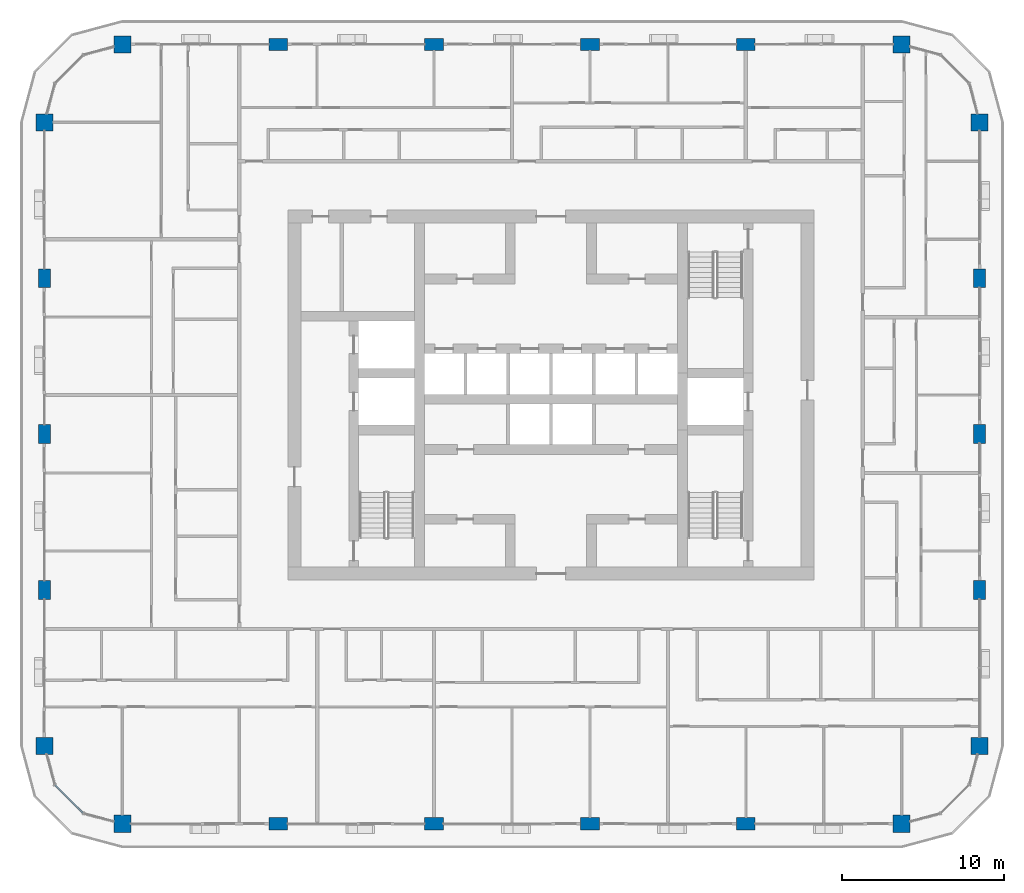
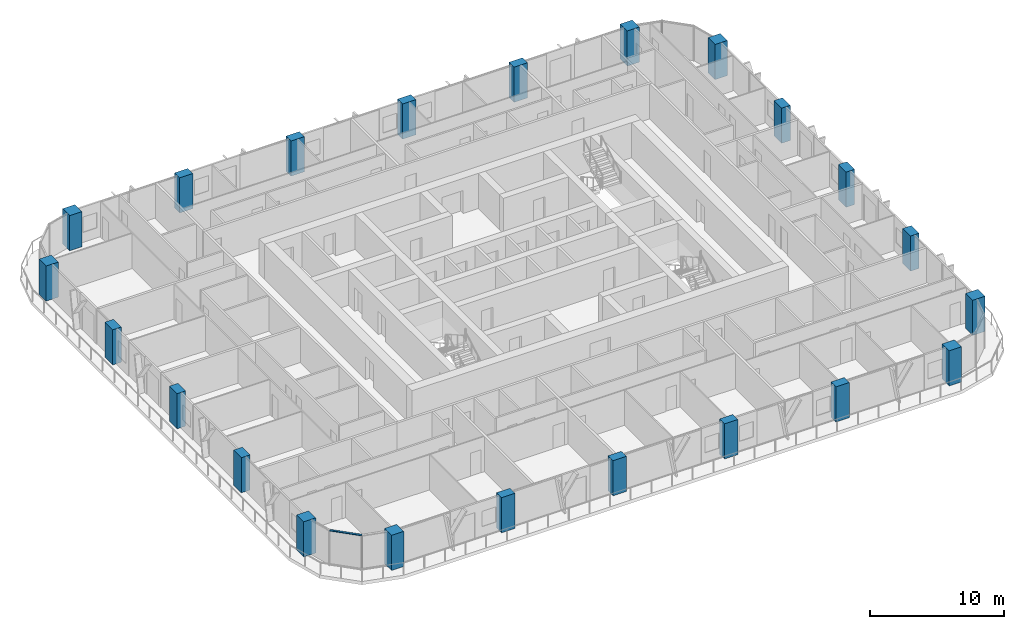
# One storey, part 1 of 22: 22 columns, 1 member, 1 element without a shape of its own.
"""IFC4 building model written with IfcOpenShell, lengths in metres."""

from ifc_helpers import new_model, si_unit, direction, frame, origin, origin_2d, place, context, subcontext, project, spatial, rectangle, extrude, material, layer, layer_set, material_profile, profile_set, type_object, element, aggregate, save


model = new_model("IFC4")

# Units and contexts
model_context = context("Model", 3, precision=1e-05, world=origin(), true_north=direction((0.0, 1.0)))
body_context = subcontext(model_context, "Body", "Model", "MODEL_VIEW")
ifc_project = project(units=[si_unit("LENGTHUNIT", "METRE"), si_unit("AREAUNIT", "SQUARE_METRE"), si_unit("VOLUMEUNIT", "CUBIC_METRE"), si_unit("PLANEANGLEUNIT", "RADIAN"), si_unit("MASSUNIT", "GRAM", prefix="KILO")], contexts=[model_context])

# Site, building, storey
site_placement = place(None, origin())
site = spatial("IfcSite", under=ifc_project, at=site_placement, CompositionType="ELEMENT")
building_placement = place(site_placement, origin())
building = spatial("IfcBuilding", under=site, at=building_placement, Name="Madar Terraces", CompositionType="ELEMENT")
storey_placement = place(building_placement, frame((0.0, 0.0, 163.0)))
storey = spatial("IfcBuildingStorey", under=building, at=storey_placement, Name="L42", CompositionType="ELEMENT", Elevation=163.0)

# Columns
ifc_material_1 = material(Name="Concrete C70/85", Category="concrete")
ifc_material_profile_1 = material_profile(ifc_material_1, rectangle(XDim=1.14990234375, YDim=0.75, at=origin_2d()), Name="CC3 RC 1150x750")
ifc_profile_set_1 = profile_set([ifc_material_profile_1], Name="Concrete C70/85")
column_type_1 = type_object("IfcColumnType", Name="CC3 RC 1150x750", PredefinedType="COLUMN", material=ifc_profile_set_1)
for number, where, z_axis, x_axis, name in (
    (1, (14.39990234375, 0.0, 0.0), (0.0, 0.0, 1.0), (1.0, 0.0, 0.0), "Perimeter column S2"),
    (2, (24.0, 0.0, 0.0), (0.0, 0.0, 1.0), (1.0, 0.0, 0.0), "Perimeter column S3"),
    (3, (33.60009765625, 0.0, 0.0), (0.0, 0.0, 1.0), (1.0, 0.0, 0.0), "Perimeter column S4"),
    (4, (43.199951171875, 0.0, 0.0), (0.0, 0.0, 1.0), (1.0, 0.0, 0.0), "Perimeter column S5"),
    (5, (57.60009765625, 14.39990234375, 0.0), (0.0, 0.0, 1.0), (0.0, 1.0, 0.0), "Perimeter column E2"),
    (6, (57.60009765625, 24.0, 0.0), (0.0, 0.0, 1.0), (0.0, 1.0, 0.0), "Perimeter column E3"),
    (7, (57.60009765625, 33.60009765625, 0.0), (0.0, 0.0, 1.0), (0.0, 1.0, 0.0), "Perimeter column E4"),
    (8, (43.199951171875, 48.0, 0.0), (0.0, 0.0, 1.0), (1.0, 0.0, 0.0), "Perimeter column N2"),
    (9, (33.60009765625, 48.0, 0.0), (0.0, 0.0, 1.0), (1.0, 0.0, 0.0), "Perimeter column N3"),
    (10, (24.0, 48.0, 0.0), (0.0, 0.0, 1.0), (1.0, 0.0, 0.0), "Perimeter column N4"),
    (11, (14.39990234375, 48.0, 0.0), (0.0, 0.0, 1.0), (1.0, 0.0, 0.0), "Perimeter column N5"),
    (12, (0.0, 33.60009765625, 0.0), (0.0, 0.0, 1.0), (0.0, 1.0, 0.0), "Perimeter column W2"),
    (13, (0.0, 24.0, 0.0), (0.0, 0.0, 1.0), (0.0, 1.0, 0.0), "Perimeter column W3"),
    (14, (0.0, 14.39990234375, 0.0), (0.0, 0.0, 1.0), (0.0, 1.0, 0.0), "Perimeter column W4"),
):
    element("IfcColumn", number, at=place(storey_placement, frame(where, z_axis=z_axis, x_axis=x_axis)), inside=storey, type_object=column_type_1, Name=name, PredefinedType="COLUMN", context=body_context, shape_type="SweptSolid", body=[
        extrude(rectangle(XDim=1.14990234375, YDim=0.75, at=origin_2d()), origin(), (0.0, 0.0, 1.0), 3.199951171875),
    ])
ifc_material_2 = material(Name="Concrete C70/85", Category="concrete")
ifc_material_profile_2 = material_profile(ifc_material_2, rectangle(XDim=1.050048828125, YDim=1.050048828125, at=origin_2d()), Name="KC3 RC 1050x1050")
ifc_profile_set_2 = profile_set([ifc_material_profile_2], Name="Concrete C70/85")
column_type_2 = type_object("IfcColumnType", Name="KC3 RC 1050x1050", PredefinedType="COLUMN", material=ifc_profile_set_2)
for number, where, z_axis, x_axis, name in (
    (15, (4.800048828125, 0.0, 0.0), (0.0, 0.0, 1.0), (1.0, 0.0, 0.0), "Perimeter column S1"),
    (16, (52.800048828125, 0.0, 0.0), (0.0, 0.0, 1.0), (1.0, 0.0, 0.0), "Perimeter column S6"),
    (17, (57.60009765625, 4.800048828125, 0.0), (0.0, 0.0, 1.0), (1.0, 0.0, 0.0), "Perimeter column E1"),
    (18, (57.60009765625, 43.199951171875, 0.0), (0.0, 0.0, 1.0), (1.0, 0.0, 0.0), "Perimeter column E5"),
    (19, (52.800048828125, 48.0, 0.0), (0.0, 0.0, 1.0), (1.0, 0.0, 0.0), "Perimeter column N1"),
    (20, (4.800048828125, 48.0, 0.0), (0.0, 0.0, 1.0), (1.0, 0.0, 0.0), "Perimeter column N6"),
    (21, (0.0, 43.199951171875, 0.0), (0.0, 0.0, 1.0), (1.0, 0.0, 0.0), "Perimeter column W1"),
    (22, (0.0, 4.800048828125, 0.0), (0.0, 0.0, 1.0), (1.0, 0.0, 0.0), "Perimeter column W5"),
):
    element("IfcColumn", number, at=place(storey_placement, frame(where, z_axis=z_axis, x_axis=x_axis)), inside=storey, type_object=column_type_2, Name=name, PredefinedType="COLUMN", context=body_context, shape_type="SweptSolid", body=[
        extrude(rectangle(XDim=1.050048828125, YDim=1.050048828125, at=origin_2d()), origin(), (0.0, 0.0, 1.0), 3.199951171875),
    ])

# Curtain wall, member
ifc_material_3 = material(Name="Glass, ceramic frit dark grey, with black aluminium frame", Category="aluminium")
ifc_layer = layer(ifc_material_3, 0.199951171875)
ifc_layer_set = layer_set([ifc_layer], Name="Facade curtain wall, fritted glass")
curtain_wall_type = type_object("IfcCurtainWallType", Name="Facade curtain wall, fritted glass", PredefinedType="NOTDEFINED", material=ifc_layer_set)
curtain_wall_placement = place(storey_placement, origin())
curtain_wall = element("IfcCurtainWall", 23, at=curtain_wall_placement, inside=storey, type_object=curtain_wall_type, Name="Outer skin curtain wall south-west corner", PredefinedType="NOTDEFINED")
ifc_material_4 = material(Name="Aluminium, black anodised", Category="aluminium")
ifc_material_profile_3 = material_profile(ifc_material_4, rectangle(XDim=0.1201171875, YDim=0.06005859375, at=origin_2d()), Name="Facade transom 60x120")
ifc_profile_set_3 = profile_set([ifc_material_profile_3], Name="Aluminium, black anodised")
member_type = type_object("IfcMemberType", Name="Facade transom 60x120", PredefinedType="USERDEFINED", material=ifc_profile_set_3)
member_placement = place(storey_placement, frame((0.664306640625, 2.37890625, 3.169921875), z_axis=(0.707106781187, -0.707106781187, 0.0), x_axis=(0.707106781187, 0.707106781187, 0.0)))
member = element("IfcMember", 24, at=member_placement, type_object=member_type, Name="Transom 2", ObjectType="TRANSOM", PredefinedType="USERDEFINED", context=body_context, shape_type="SweptSolid", body=[
    extrude(rectangle(XDim=0.1201171875, YDim=0.06005859375, at=origin_2d()), origin(), (0.0, 0.0, 1.0), 2.4248046875),
])
aggregate(curtain_wall, [member])

save(model, "model.ifc")
